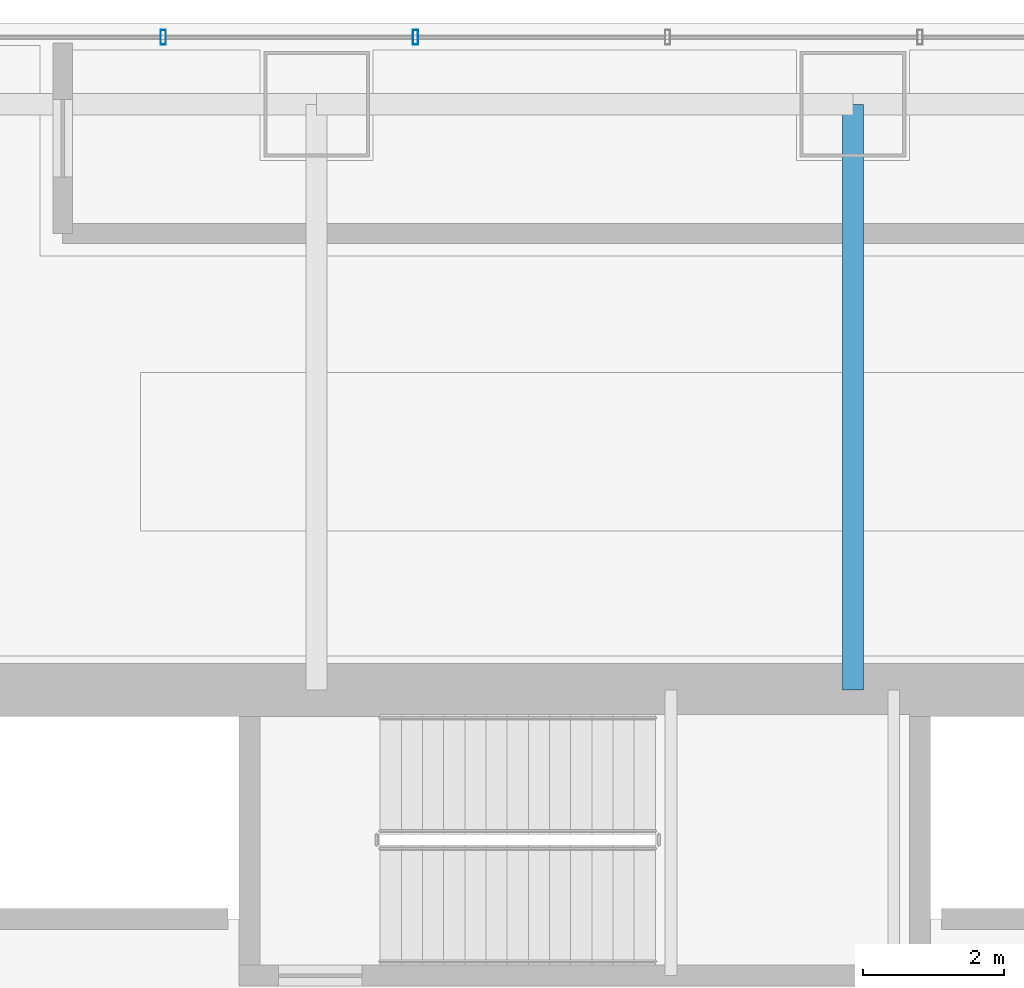
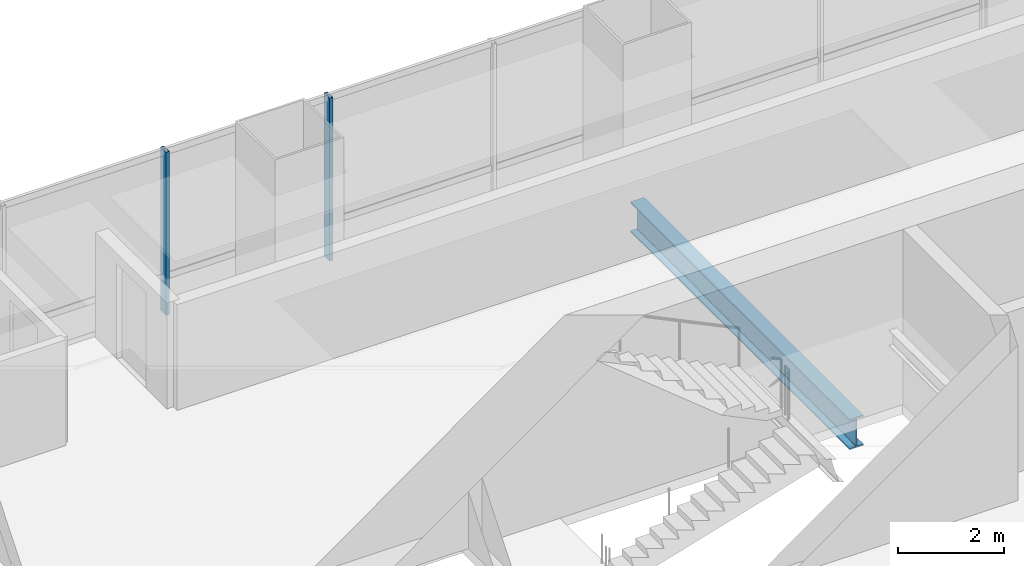
# One storey, part 20 of 45: 2 members, 1 beam, 1 element without a shape of its own.
"""IFC4 building model written with IfcOpenShell, lengths in metres."""

import ifcopenshell
import ifcopenshell.guid

model = None  # the IFC model being written
_history = None  # IfcOwnerHistory: only IFC2X3 demands one
_inside = {}  # id of a spatial element -> (the spatial element, [elements in it])
_under = {}  # id of a project, library or spatial element -> (it, [spatial elements below it])
_declared = {}  # id of a project -> (the project, [libraries it declares])
_typed = {}  # id of a type object -> (the type object, [elements of that type])
_made_of = {}  # id of a material, layer set ... -> (it, [elements and type objects made of it])


def new_model(schema):
    """Start an empty IFC model of exactly this schema.

    Asked for "IFC4X3", IfcOpenShell would pick the latest addendum, in which some entities
    have other attributes; the version numbers below select the first issue.
    IFC2X3 requires an IfcOwnerHistory on every rooted entity: one is made here for all.
    """
    global model, _history
    if schema == "IFC4X3":
        model = ifcopenshell.file(schema_version=(4, 3, 0, 0))
    else:
        model = ifcopenshell.file(schema=schema)
    _inside.clear()
    _under.clear()
    _declared.clear()
    _typed.clear()
    _made_of.clear()
    _history = None
    if model.schema == "IFC2X3":
        org = make("IfcOrganization", Name="unknown")
        user = make(
            "IfcPersonAndOrganization",
            ThePerson=make("IfcPerson", FamilyName="unknown"),
            TheOrganization=org,
        )
        app = make(
            "IfcApplication",
            ApplicationDeveloper=org,
            Version="unknown",
            ApplicationFullName="unknown",
            ApplicationIdentifier="unknown",
        )
        _history = make(
            "IfcOwnerHistory",
            OwningUser=user,
            OwningApplication=app,
            ChangeAction="ADDED",
            CreationDate=0,
        )
    return model


def make(cls, **values):
    """One entity of the class cls with the attributes given. An attribute that is None is left unset."""
    return model.create_entity(
        cls, **{name: value for name, value in values.items() if value is not None}
    )


def rooted(cls, **values):
    """An entity with a GlobalId (a new one), such as an element, a storey or a relation."""
    return make(cls, GlobalId=ifcopenshell.guid.new(), OwnerHistory=_history, **values)


def si_unit(unit_type, name, prefix=None):
    """IfcSIUnit, for example si_unit("LENGTHUNIT", "METRE", prefix="MILLI")."""
    return make("IfcSIUnit", UnitType=unit_type, Prefix=prefix, Name=name)


def assignment(units):
    """IfcUnitAssignment: the units of a project."""
    return None if units is None else make("IfcUnitAssignment", Units=units)


def point(xyz):
    """IfcCartesianPoint."""
    return None if xyz is None else make("IfcCartesianPoint", Coordinates=xyz)


def direction(xyz):
    """IfcDirection."""
    return None if xyz is None else make("IfcDirection", DirectionRatios=xyz)


def frame(location, z_axis=None, x_axis=None):
    """IfcAxis2Placement3D, a coordinate frame: its origin and axes. An axis left out is left unset."""
    return make(
        "IfcAxis2Placement3D",
        Location=point(location),
        Axis=direction(z_axis),
        RefDirection=direction(x_axis),
    )


def frame_2d(location, x_axis=None):
    """IfcAxis2Placement2D, a coordinate frame in the plane: its origin and x axis."""
    return make(
        "IfcAxis2Placement2D", Location=point(location), RefDirection=direction(x_axis)
    )


def origin():
    """The frame at (0, 0, 0) with its axes left unset."""
    return frame((0.0, 0.0, 0.0))


def origin_2d():
    """The frame at (0, 0) in the plane with its x axis left unset."""
    return frame_2d((0.0, 0.0))


def place(relative_to, where):
    """IfcLocalPlacement: puts the frame where relative to a parent placement (None: the world)."""
    return make(
        "IfcLocalPlacement", PlacementRelTo=relative_to, RelativePlacement=where
    )


def context(
    kind, dimensions, precision=None, world=None, true_north=None, identifier=None
):
    """IfcGeometricRepresentationContext, for example the 3D "Model" context."""
    return make(
        "IfcGeometricRepresentationContext",
        ContextIdentifier=identifier,
        ContextType=kind,
        CoordinateSpaceDimension=dimensions,
        Precision=precision,
        WorldCoordinateSystem=world,
        TrueNorth=true_north,
    )


def subcontext(parent, identifier, kind, view, scale=None):
    """IfcGeometricRepresentationSubContext, for example "Body" below "Model"."""
    return make(
        "IfcGeometricRepresentationSubContext",
        ContextIdentifier=identifier,
        ContextType=kind,
        ParentContext=parent,
        TargetScale=scale,
        TargetView=view,
    )


def project(units=None, contexts=None):
    """IfcProject with its units and contexts."""
    return rooted(
        "IfcProject",
        Name="project",
        RepresentationContexts=contexts,
        UnitsInContext=assignment(units),
    )


def spatial(cls, under=None, at=None, **own):
    """A site, building, storey or space (cls), placed at a placement, below another one or the project."""
    s = rooted(cls, ObjectPlacement=at, **own)
    if under is not None:
        _under.setdefault(under.id(), (under, []))[1].append(s)
    return s


def profile(cls, at=None, kind="AREA", **sizes):
    """A parametric profile (cls). Its sizes go by their IFC names, for example OverallWidth=200.0."""
    return make(cls, ProfileType=kind, Position=at, **sizes)


def hollow_rectangle(**sizes):
    """IfcRectangleHollowProfileDef."""
    return profile("IfcRectangleHollowProfileDef", **sizes)


def i_section(**sizes):
    """IfcIShapeProfileDef."""
    return profile("IfcIShapeProfileDef", **sizes)


def extrude(swept, where, along, depth):
    """IfcExtrudedAreaSolid: the profile swept, set in the frame where, extruded along a direction by depth."""
    return make(
        "IfcExtrudedAreaSolid",
        SweptArea=swept,
        Position=where,
        ExtrudedDirection=direction(along),
        Depth=depth,
    )


def shape(context_of_items, identifier, shape_type, items):
    """IfcShapeRepresentation: the items that make up one representation, for example the "Body"."""
    return make(
        "IfcShapeRepresentation",
        ContextOfItems=context_of_items,
        RepresentationIdentifier=identifier,
        RepresentationType=shape_type,
        Items=items,
    )


def material(Name=None, Category=None):
    """IfcMaterial."""
    return make("IfcMaterial", Name=Name, Category=Category)


def material_profile(
    of_material, cross_section, Name=None, Category=None, Priority=None
):
    """IfcMaterialProfile: a cross section and its material."""
    return make(
        "IfcMaterialProfile",
        Name=Name,
        Material=of_material,
        Profile=cross_section,
        Priority=Priority,
        Category=Category,
    )


def profile_set(profiles, Name=None, composite=None):
    """IfcMaterialProfileSet."""
    return make(
        "IfcMaterialProfileSet",
        Name=Name,
        MaterialProfiles=profiles,
        CompositeProfile=composite,
    )


def made_of(thing, what):
    """Note that an element or type object is made of a material, layer set ...; save() writes the relation."""
    if what is not None:
        _made_of.setdefault(what.id(), (what, []))[1].append(thing)
    return thing


def type_object(cls, material=None, **own):
    """A type object (cls), such as IfcWallType, which elements share."""
    return made_of(rooted(cls, **own), material)


def element(
    cls,
    number,
    at=None,
    inside=None,
    cuts=None,
    type_object=None,
    material=None,
    context=None,
    identifier="Body",
    shape_type=None,
    held_by="IfcProductDefinitionShape",
    body=None,
    shapes=None,
    **own,
):
    """One element of the class cls, such as IfcWall. Its Tag is "e" and its number.

    at: its placement. inside: the storey or other place that contains it. cuts: it is an
    opening in that element (IfcRelVoidsElement). A single representation is given by context,
    identifier, shape_type and body (its items); several are given by shapes. held_by: the class
    of the entity that holds the representations. save() writes the other relations.
    """
    e = rooted(cls, Tag="e%d" % number, ObjectPlacement=at, **own)
    if body is not None:
        shapes = [shape(context, identifier, shape_type, body)]
    if shapes is not None:
        e.Representation = make(held_by, Representations=shapes)
    if inside is not None:
        _inside.setdefault(inside.id(), (inside, []))[1].append(e)
    if cuts is not None:
        rooted(
            "IfcRelVoidsElement", RelatingBuildingElement=cuts, RelatedOpeningElement=e
        )
    if type_object is not None:
        _typed.setdefault(type_object.id(), (type_object, []))[1].append(e)
    return made_of(e, material)


def aggregate(whole, parts):
    """IfcRelAggregates: a whole, such as a stair, and the parts it consists of."""
    return rooted("IfcRelAggregates", RelatingObject=whole, RelatedObjects=parts)


def save(model, path):
    """Write the relations noted so far, then the file.

    IfcRelAggregates (storeys below a building ...), IfcRelContainedInSpatialStructure (elements
    in a storey), IfcRelDefinesByType, IfcRelAssociatesMaterial and IfcRelDeclares: one each for
    every whole, place, type object, material and project.
    """
    for whole, parts in _under.values():
        aggregate(whole, parts)
    for where, things in _inside.values():
        rooted(
            "IfcRelContainedInSpatialStructure",
            RelatedElements=things,
            RelatingStructure=where,
        )
    for kind, things in _typed.values():
        rooted("IfcRelDefinesByType", RelatedObjects=things, RelatingType=kind)
    for what, things in _made_of.values():
        rooted("IfcRelAssociatesMaterial", RelatedObjects=things, RelatingMaterial=what)
    for by, libraries in _declared.values():
        rooted("IfcRelDeclares", RelatingContext=by, RelatedDefinitions=libraries)
    model.write(path)


model = new_model("IFC4")

# Units and contexts
model_context = context("Model", 3, precision=1e-05, world=origin(), true_north=direction((0.0, 1.0)))
body_context = subcontext(model_context, "Body", "Model", "MODEL_VIEW")
ifc_project = project(units=[si_unit("LENGTHUNIT", "METRE"), si_unit("AREAUNIT", "SQUARE_METRE"), si_unit("VOLUMEUNIT", "CUBIC_METRE"), si_unit("PLANEANGLEUNIT", "RADIAN"), si_unit("MASSUNIT", "GRAM", prefix="KILO")], contexts=[model_context])

# Site, building, storey
site_placement = place(None, origin())
site = spatial("IfcSite", under=ifc_project, at=site_placement, CompositionType="ELEMENT")
building_placement = place(site_placement, origin())
building = spatial("IfcBuilding", under=site, at=building_placement, Name="Punatoya Terracotta Tower", CompositionType="ELEMENT")
storey_placement = place(building_placement, frame((0.0, 0.0, 56.550048828125)))
storey = spatial("IfcBuildingStorey", under=building, at=storey_placement, Name="L12", CompositionType="ELEMENT", Elevation=56.550048828125)

# Beam
ifc_material_1 = material(Name="Steel S355", Category="steel")
ifc_material_profile_1 = material_profile(ifc_material_1, i_section(OverallWidth=0.300048828125, OverallDepth=0.699951171875, WebThickness=0.01708984375, FlangeThickness=0.031982421875, FilletRadius=0.01806640625, at=origin_2d()))
ifc_profile_set_1 = profile_set([ifc_material_profile_1], Name="Steel S355")
beam_type = type_object("IfcBeamType", Name="BM-PRI-700", PredefinedType="BEAM", material=ifc_profile_set_1)
beam_placement = place(storey_placement, frame((3.800048828125, 9.199951171875, -0.590087890625), z_axis=(0.0, 1.0, 0.0), x_axis=(-1.0, 0.0, 0.0)))
element("IfcBeam", 1, at=beam_placement, inside=storey, type_object=beam_type, Name="BM-L12-PR-N3", PredefinedType="BEAM", context=body_context, shape_type="SweptSolid", body=[
    extrude(i_section(OverallWidth=0.300048828125, OverallDepth=0.699951171875, WebThickness=0.01708984375, FlangeThickness=0.031982421875, FilletRadius=0.01806640625, at=origin_2d()), origin(), (0.0, 0.0, 1.0), 8.300048828125),
])

# Curtain wall, members
ifc_material_2 = material(Name="Aluminium 6063-T6 + Double Low-E Glass", Category="aluminium")
curtain_wall_type = type_object("IfcCurtainWallType", Name="CW-M1", PredefinedType="NOTDEFINED", material=ifc_material_2)
curtain_wall_placement = place(storey_placement, origin())
curtain_wall = element("IfcCurtainWall", 2, at=curtain_wall_placement, inside=storey, type_object=curtain_wall_type, Name="L12 Curtain Wall CW-L12-N09-1", PredefinedType="NOTDEFINED")
ifc_material_3 = material(Name="Aluminium 6063-T6", Category="aluminium")
ifc_material_profile_2 = material_profile(ifc_material_3, hollow_rectangle(XDim=0.074951171875, YDim=0.2099609375, WallThickness=0.00439453125, at=origin_2d()))
ifc_profile_set_2 = profile_set([ifc_material_profile_2], Name="Aluminium 6063-T6")
member_type = type_object("IfcMemberType", Name="CW-MUL-M1", PredefinedType="MULLION", material=ifc_profile_set_2)
member_1_placement = place(storey_placement, frame((-2.39990234375, 18.449951171875, 0.0), z_axis=(0.0, 0.0, 1.0), x_axis=(1.0, 0.0, 0.0)))
member_1 = element("IfcMember", 3, at=member_1_placement, type_object=member_type, Name="CW-L12-N09-1 Mullion 04", PredefinedType="MULLION", context=body_context, shape_type="SweptSolid", body=[
    extrude(hollow_rectangle(XDim=0.074951171875, YDim=0.2099609375, WallThickness=0.00439453125, at=origin_2d()), origin(), (0.0, 0.0, 1.0), 3.77001953125),
])
member_2_placement = place(storey_placement, frame((-5.97509765625, 18.449951171875, 0.0), z_axis=(0.0, 0.0, 1.0), x_axis=(1.0, 0.0, 0.0)))
member_2 = element("IfcMember", 4, at=member_2_placement, type_object=member_type, Name="CW-L12-N09-1 Mullion 05", PredefinedType="MULLION", context=body_context, shape_type="SweptSolid", body=[
    extrude(hollow_rectangle(XDim=0.074951171875, YDim=0.2099609375, WallThickness=0.00439453125, at=origin_2d()), origin(), (0.0, 0.0, 1.0), 3.77001953125),
])
aggregate(curtain_wall, [member_1, member_2])

save(model, "model.ifc")
